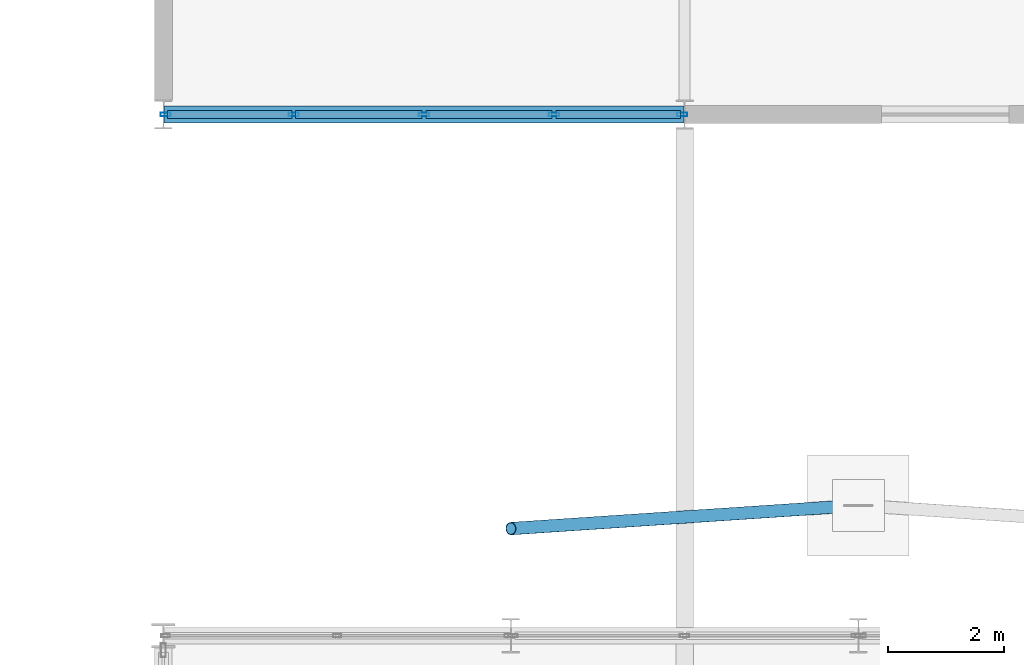
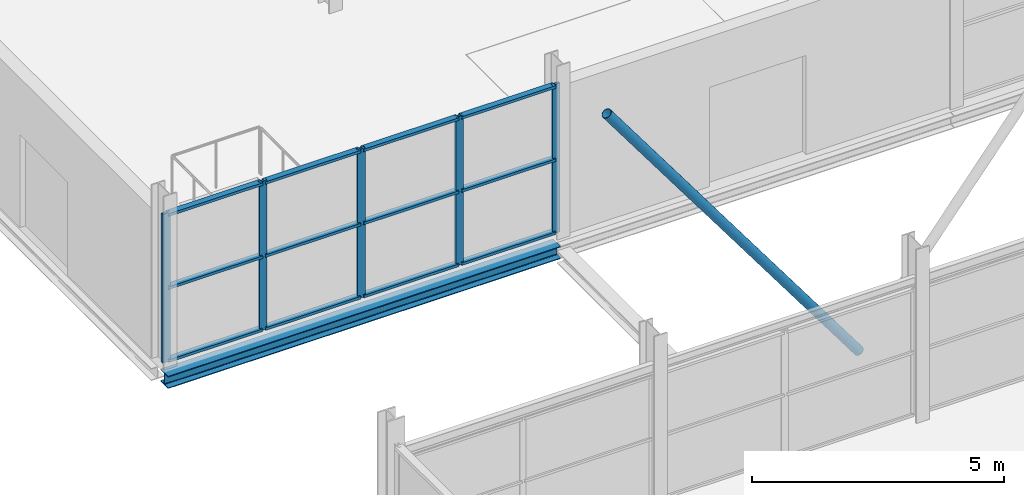
# One storey, part 40 of 140: 18 members, 1 beam, 1 element without a shape of its own.
"""IFC4 building model written with IfcOpenShell, lengths in metres."""

from ifc_helpers import new_model, si_unit, direction, frame, origin, origin_2d, place, context, subcontext, project, spatial, hollow_rectangle, hollow_circle, i_section, extrude, material, layer, layer_set, material_profile, profile_set, type_object, element, aggregate, save


model = new_model("IFC4")

# Units and contexts
model_context = context("Model", 3, precision=1e-05, world=origin(), true_north=direction((0.0, 1.0)))
body_context = subcontext(model_context, "Body", "Model", "MODEL_VIEW")
ifc_project = project(units=[si_unit("LENGTHUNIT", "METRE"), si_unit("AREAUNIT", "SQUARE_METRE"), si_unit("VOLUMEUNIT", "CUBIC_METRE"), si_unit("PLANEANGLEUNIT", "RADIAN"), si_unit("MASSUNIT", "GRAM", prefix="KILO")], contexts=[model_context])

# Site, building, storey
site_placement = place(None, origin())
site = spatial("IfcSite", under=ifc_project, at=site_placement, CompositionType="ELEMENT")
building_placement = place(site_placement, origin())
building = spatial("IfcBuilding", under=site, at=building_placement, Name="Deido Ridge Mobility Hub", CompositionType="ELEMENT")
storey_placement = place(building_placement, origin())
storey = spatial("IfcBuildingStorey", under=building, at=storey_placement, Name="L00", CompositionType="ELEMENT", Elevation=0.0)

# Member
ifc_material_1 = material(Name="Steel S355J2H EN 10210-1", Category="steel")
ifc_material_profile_1 = material_profile(ifc_material_1, hollow_circle(Radius=0.109619140625, WallThickness=0.010009765625, at=origin_2d()), Name="CHS 219.1x10")
ifc_profile_set_1 = profile_set([ifc_material_profile_1], Name="Steel S355J2H EN 10210-1")
member_type_1 = type_object("IfcMemberType", Name="MEM-BRC-CHS219", PredefinedType="BRACE", material=ifc_profile_set_1)
member_1_placement = place(storey_placement, frame((12.0, 38.25, 0.1650390625), z_axis=(-0.595472226682, -0.039688456515, 0.802394948682), x_axis=(0.066502842363, -0.997786235602, 0.0)))
element("IfcMember", 1, at=member_1_placement, inside=storey, type_object=member_type_1, Name="Deconstructivist exoskeleton raked V-strut BR2", PredefinedType="BRACE", context=body_context, shape_type="SweptSolid", body=[
    extrude(hollow_circle(Radius=0.109619140625, WallThickness=0.010009765625, at=origin_2d()), origin(), (0.0, 0.0, 1.0), 10.075927734375),
])

# Curtain wall, members
ifc_material_2 = material(Name="Anodised aluminium EN AW-6063 T6", Category="aluminium")
ifc_layer = layer(ifc_material_2, 0.132080078125, Name="Anodised aluminium EN AW-6063 T6")
ifc_layer_set = layer_set([ifc_layer], Name="Anodised aluminium EN AW-6063 T6")
curtain_wall_type = type_object("IfcCurtainWallType", Name="CW-GS-1", PredefinedType="USERDEFINED", material=ifc_layer_set)
curtain_wall_placement = place(storey_placement, origin())
curtain_wall = element("IfcCurtainWall", 2, at=curtain_wall_placement, inside=storey, type_object=curtain_wall_type, Name="Unitised curtain wall GS1", ObjectType="GLAZED SCREEN", PredefinedType="USERDEFINED")
ifc_material_profile_2 = material_profile(ifc_material_2, hollow_rectangle(XDim=0.06494140625, YDim=0.175048828125, WallThickness=0.00390625, at=origin_2d()), Name="RHS 65x175x4")
ifc_profile_set_2 = profile_set([ifc_material_profile_2], Name="Anodised aluminium EN AW-6063 T6")
member_type_2 = type_object("IfcMemberType", Name="MEM-MUL-65X175", PredefinedType="MULLION", material=ifc_profile_set_2)
member_2_placement = place(storey_placement, frame((0.039794921875, 45.0, 0.0), z_axis=(0.0, 0.0, 1.0), x_axis=(0.0, 1.0, 0.0)))
member_2 = element("IfcMember", 3, at=member_2_placement, type_object=member_type_2, Name="GS1 mullion 1", PredefinedType="MULLION", context=body_context, shape_type="SweptSolid", body=[
    extrude(hollow_rectangle(XDim=0.06494140625, YDim=0.175048828125, WallThickness=0.00390625, at=origin_2d()), origin(), (0.0, 0.0, 1.0), 3.60009765625),
])
member_3_placement = place(storey_placement, frame((2.253662109375, 45.0, 0.0), z_axis=(0.0, 0.0, 1.0), x_axis=(0.0, 1.0, 0.0)))
member_3 = element("IfcMember", 4, at=member_3_placement, type_object=member_type_2, Name="GS1 mullion 2", PredefinedType="MULLION", context=body_context, shape_type="SweptSolid", body=[
    extrude(hollow_rectangle(XDim=0.06494140625, YDim=0.175048828125, WallThickness=0.00390625, at=origin_2d()), origin(), (0.0, 0.0, 1.0), 3.60009765625),
])
member_4_placement = place(storey_placement, frame((4.5, 45.0, 0.0), z_axis=(0.0, 0.0, 1.0), x_axis=(0.0, 1.0, 0.0)))
member_4 = element("IfcMember", 5, at=member_4_placement, type_object=member_type_2, Name="GS1 mullion 3", PredefinedType="MULLION", context=body_context, shape_type="SweptSolid", body=[
    extrude(hollow_rectangle(XDim=0.06494140625, YDim=0.175048828125, WallThickness=0.00390625, at=origin_2d()), origin(), (0.0, 0.0, 1.0), 3.60009765625),
])
member_5_placement = place(storey_placement, frame((6.746337890625, 45.0, 0.0), z_axis=(0.0, 0.0, 1.0), x_axis=(0.0, 1.0, 0.0)))
member_5 = element("IfcMember", 6, at=member_5_placement, type_object=member_type_2, Name="GS1 mullion 4", PredefinedType="MULLION", context=body_context, shape_type="SweptSolid", body=[
    extrude(hollow_rectangle(XDim=0.06494140625, YDim=0.175048828125, WallThickness=0.00390625, at=origin_2d()), origin(), (0.0, 0.0, 1.0), 3.60009765625),
])
member_6_placement = place(storey_placement, frame((8.960205078125, 45.0, 0.0), z_axis=(0.0, 0.0, 1.0), x_axis=(0.0, 1.0, 0.0)))
member_6 = element("IfcMember", 7, at=member_6_placement, type_object=member_type_2, Name="GS1 mullion 5", PredefinedType="MULLION", context=body_context, shape_type="SweptSolid", body=[
    extrude(hollow_rectangle(XDim=0.06494140625, YDim=0.175048828125, WallThickness=0.00390625, at=origin_2d()), origin(), (0.0, 0.0, 1.0), 3.60009765625),
])
ifc_material_profile_3 = material_profile(ifc_material_2, hollow_rectangle(XDim=0.135009765625, YDim=0.06494140625, WallThickness=0.00390625, at=origin_2d()), Name="RHS 135x65x4")
ifc_profile_set_3 = profile_set([ifc_material_profile_3], Name="Anodised aluminium EN AW-6063 T6")
member_type_3 = type_object("IfcMemberType", Name="MEM-TRN-135X65", PredefinedType="USERDEFINED", material=ifc_profile_set_3)
member_7_placement = place(storey_placement, frame((0.072265625, 45.0, 0.032470703125), z_axis=(1.0, 0.0, 0.0), x_axis=(0.0, 1.0, 0.0)))
member_7 = element("IfcMember", 8, at=member_7_placement, type_object=member_type_3, Name="GS1 transom 1.1", ObjectType="TRANSOM", PredefinedType="USERDEFINED", context=body_context, shape_type="SweptSolid", body=[
    extrude(hollow_rectangle(XDim=0.135009765625, YDim=0.06494140625, WallThickness=0.00390625, at=origin_2d()), origin(), (0.0, 0.0, 1.0), 2.14892578125),
])
member_8_placement = place(storey_placement, frame((0.072265625, 45.0, 1.800048828125), z_axis=(1.0, 0.0, 0.0), x_axis=(0.0, 1.0, 0.0)))
member_8 = element("IfcMember", 9, at=member_8_placement, type_object=member_type_3, Name="GS1 transom 1.2", ObjectType="TRANSOM", PredefinedType="USERDEFINED", context=body_context, shape_type="SweptSolid", body=[
    extrude(hollow_rectangle(XDim=0.135009765625, YDim=0.06494140625, WallThickness=0.00390625, at=origin_2d()), origin(), (0.0, 0.0, 1.0), 2.14892578125),
])
member_9_placement = place(storey_placement, frame((0.072265625, 45.0, 3.5673828125), z_axis=(1.0, 0.0, 0.0), x_axis=(0.0, 1.0, 0.0)))
member_9 = element("IfcMember", 10, at=member_9_placement, type_object=member_type_3, Name="GS1 transom 1.3", ObjectType="TRANSOM", PredefinedType="USERDEFINED", context=body_context, shape_type="SweptSolid", body=[
    extrude(hollow_rectangle(XDim=0.135009765625, YDim=0.06494140625, WallThickness=0.00390625, at=origin_2d()), origin(), (0.0, 0.0, 1.0), 2.14892578125),
])
member_10_placement = place(storey_placement, frame((2.2861328125, 45.0, 0.032470703125), z_axis=(1.0, 0.0, 0.0), x_axis=(0.0, 1.0, 0.0)))
member_10 = element("IfcMember", 11, at=member_10_placement, type_object=member_type_3, Name="GS1 transom 2.1", ObjectType="TRANSOM", PredefinedType="USERDEFINED", context=body_context, shape_type="SweptSolid", body=[
    extrude(hollow_rectangle(XDim=0.135009765625, YDim=0.06494140625, WallThickness=0.00390625, at=origin_2d()), origin(), (0.0, 0.0, 1.0), 2.181396484375),
])
member_11_placement = place(storey_placement, frame((2.2861328125, 45.0, 1.800048828125), z_axis=(1.0, 0.0, 0.0), x_axis=(0.0, 1.0, 0.0)))
member_11 = element("IfcMember", 12, at=member_11_placement, type_object=member_type_3, Name="GS1 transom 2.2", ObjectType="TRANSOM", PredefinedType="USERDEFINED", context=body_context, shape_type="SweptSolid", body=[
    extrude(hollow_rectangle(XDim=0.135009765625, YDim=0.06494140625, WallThickness=0.00390625, at=origin_2d()), origin(), (0.0, 0.0, 1.0), 2.181396484375),
])
member_12_placement = place(storey_placement, frame((2.2861328125, 45.0, 3.5673828125), z_axis=(1.0, 0.0, 0.0), x_axis=(0.0, 1.0, 0.0)))
member_12 = element("IfcMember", 13, at=member_12_placement, type_object=member_type_3, Name="GS1 transom 2.3", ObjectType="TRANSOM", PredefinedType="USERDEFINED", context=body_context, shape_type="SweptSolid", body=[
    extrude(hollow_rectangle(XDim=0.135009765625, YDim=0.06494140625, WallThickness=0.00390625, at=origin_2d()), origin(), (0.0, 0.0, 1.0), 2.181396484375),
])
member_13_placement = place(storey_placement, frame((4.532470703125, 45.0, 0.032470703125), z_axis=(1.0, 0.0, 0.0), x_axis=(0.0, 1.0, 0.0)))
member_13 = element("IfcMember", 14, at=member_13_placement, type_object=member_type_3, Name="GS1 transom 3.1", ObjectType="TRANSOM", PredefinedType="USERDEFINED", context=body_context, shape_type="SweptSolid", body=[
    extrude(hollow_rectangle(XDim=0.135009765625, YDim=0.06494140625, WallThickness=0.00390625, at=origin_2d()), origin(), (0.0, 0.0, 1.0), 2.181396484375),
])
member_14_placement = place(storey_placement, frame((4.532470703125, 45.0, 1.800048828125), z_axis=(1.0, 0.0, 0.0), x_axis=(0.0, 1.0, 0.0)))
member_14 = element("IfcMember", 15, at=member_14_placement, type_object=member_type_3, Name="GS1 transom 3.2", ObjectType="TRANSOM", PredefinedType="USERDEFINED", context=body_context, shape_type="SweptSolid", body=[
    extrude(hollow_rectangle(XDim=0.135009765625, YDim=0.06494140625, WallThickness=0.00390625, at=origin_2d()), origin(), (0.0, 0.0, 1.0), 2.181396484375),
])
member_15_placement = place(storey_placement, frame((4.532470703125, 45.0, 3.5673828125), z_axis=(1.0, 0.0, 0.0), x_axis=(0.0, 1.0, 0.0)))
member_15 = element("IfcMember", 16, at=member_15_placement, type_object=member_type_3, Name="GS1 transom 3.3", ObjectType="TRANSOM", PredefinedType="USERDEFINED", context=body_context, shape_type="SweptSolid", body=[
    extrude(hollow_rectangle(XDim=0.135009765625, YDim=0.06494140625, WallThickness=0.00390625, at=origin_2d()), origin(), (0.0, 0.0, 1.0), 2.181396484375),
])
member_16_placement = place(storey_placement, frame((6.77880859375, 45.0, 0.032470703125), z_axis=(1.0, 0.0, 0.0), x_axis=(0.0, 1.0, 0.0)))
member_16 = element("IfcMember", 17, at=member_16_placement, type_object=member_type_3, Name="GS1 transom 4.1", ObjectType="TRANSOM", PredefinedType="USERDEFINED", context=body_context, shape_type="SweptSolid", body=[
    extrude(hollow_rectangle(XDim=0.135009765625, YDim=0.06494140625, WallThickness=0.00390625, at=origin_2d()), origin(), (0.0, 0.0, 1.0), 2.14892578125),
])
member_17_placement = place(storey_placement, frame((6.77880859375, 45.0, 1.800048828125), z_axis=(1.0, 0.0, 0.0), x_axis=(0.0, 1.0, 0.0)))
member_17 = element("IfcMember", 18, at=member_17_placement, type_object=member_type_3, Name="GS1 transom 4.2", ObjectType="TRANSOM", PredefinedType="USERDEFINED", context=body_context, shape_type="SweptSolid", body=[
    extrude(hollow_rectangle(XDim=0.135009765625, YDim=0.06494140625, WallThickness=0.00390625, at=origin_2d()), origin(), (0.0, 0.0, 1.0), 2.14892578125),
])
member_18_placement = place(storey_placement, frame((6.77880859375, 45.0, 3.5673828125), z_axis=(1.0, 0.0, 0.0), x_axis=(0.0, 1.0, 0.0)))
member_18 = element("IfcMember", 19, at=member_18_placement, type_object=member_type_3, Name="GS1 transom 4.3", ObjectType="TRANSOM", PredefinedType="USERDEFINED", context=body_context, shape_type="SweptSolid", body=[
    extrude(hollow_rectangle(XDim=0.135009765625, YDim=0.06494140625, WallThickness=0.00390625, at=origin_2d()), origin(), (0.0, 0.0, 1.0), 2.14892578125),
])
aggregate(curtain_wall, [member_2, member_3, member_4, member_5, member_6, member_7, member_8, member_9, member_10, member_11, member_12, member_13, member_14, member_15, member_16, member_17, member_18])

# Beam
ifc_material_3 = material(Name="Steel S355J2 EN 10025-2", Category="steel")
ifc_material_profile_4 = material_profile(ifc_material_3, i_section(OverallWidth=0.300048828125, OverallDepth=0.300048828125, WebThickness=0.010986328125, FlangeThickness=0.01904296875, FilletRadius=0.027099609375, at=origin_2d()), Name="HEB 300")
ifc_profile_set_4 = profile_set([ifc_material_profile_4], Name="Steel S355J2 EN 10025-2")
beam_type = type_object("IfcBeamType", Name="SPD-HEB300", PredefinedType="SPANDREL", material=ifc_profile_set_4)
beam_placement = place(storey_placement, frame((0.00732421875, 45.0, -0.409912109375), z_axis=(1.0, 0.0, 0.0), x_axis=(0.0, 1.0, 0.0)))
element("IfcBeam", 20, at=beam_placement, inside=storey, type_object=beam_type, Name="Floor beam SP1", PredefinedType="SPANDREL", context=body_context, shape_type="SweptSolid", body=[
    extrude(i_section(OverallWidth=0.300048828125, OverallDepth=0.300048828125, WebThickness=0.010986328125, FlangeThickness=0.01904296875, FilletRadius=0.027099609375, at=origin_2d()), origin(), (0.0, 0.0, 1.0), 8.9853515625),
])

save(model, "model.ifc")
